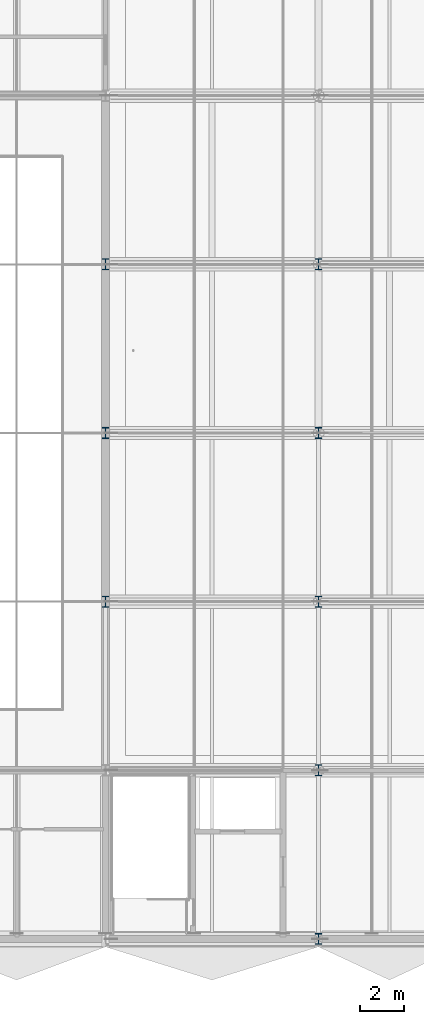
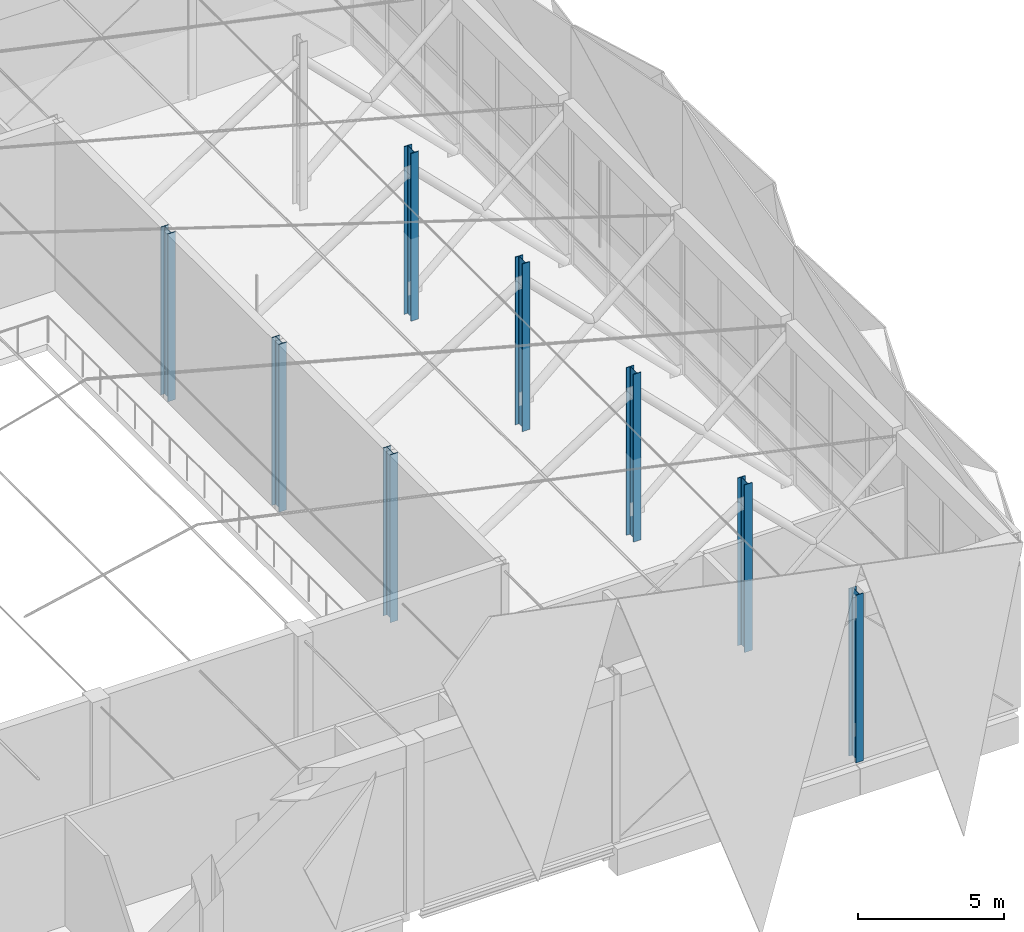
# One storey, part 2 of 46: 8 columns.
"""IFC4 building model written with IfcOpenShell, lengths in metres."""

from ifc_helpers import new_model, si_unit, direction, frame, origin, origin_2d, place, context, subcontext, project, spatial, i_section, extrude, material, material_profile, profile_set, type_object, element, save


model = new_model("IFC4")

# Units and contexts
model_context = context("Model", 3, precision=1e-05, world=origin(), true_north=direction((0.0, 1.0)))
body_context = subcontext(model_context, "Body", "Model", "MODEL_VIEW")
ifc_project = project(units=[si_unit("LENGTHUNIT", "METRE"), si_unit("AREAUNIT", "SQUARE_METRE"), si_unit("VOLUMEUNIT", "CUBIC_METRE"), si_unit("PLANEANGLEUNIT", "RADIAN"), si_unit("MASSUNIT", "GRAM", prefix="KILO")], contexts=[model_context])

# Site, building, storey
site_placement = place(None, origin())
site = spatial("IfcSite", under=ifc_project, at=site_placement, CompositionType="ELEMENT")
building_placement = place(site_placement, origin())
building = spatial("IfcBuilding", under=site, at=building_placement, Name="Khelvaren Railside Concert Hall", CompositionType="ELEMENT")
storey_placement = place(building_placement, frame((0.0, 0.0, 19.800048828125)))
storey = spatial("IfcBuildingStorey", under=building, at=storey_placement, Name="L04", CompositionType="ELEMENT", Elevation=19.800048828125)

# Columns
ifc_material = material(Name="Steel S355", Category="steel")
ifc_material_profile_1 = material_profile(ifc_material, i_section(OverallWidth=0.300048828125, OverallDepth=0.5, WebThickness=0.014404296875, FlangeThickness=0.028076171875, FilletRadius=0.027099609375, at=origin_2d()), Name="HEB 500")
ifc_profile_set_1 = profile_set([ifc_material_profile_1], Name="Steel S355")
column_type_1 = type_object("IfcColumnType", Name="COL15", PredefinedType="COLUMN", material=ifc_profile_set_1)
column_placement = place(storey_placement, frame((49.60009765625, 0.0, 0.0), z_axis=(0.0, 0.0, 1.0), x_axis=(1.0, 0.0, 0.0)))
element("IfcColumn", 1, at=column_placement, inside=storey, type_object=column_type_1, Name="V1 L04 Column (49.6,0.0)", PredefinedType="COLUMN", context=body_context, shape_type="SweptSolid", body=[
    extrude(i_section(OverallWidth=0.300048828125, OverallDepth=0.5, WebThickness=0.014404296875, FlangeThickness=0.028076171875, FilletRadius=0.027099609375, at=origin_2d()), origin(), (0.0, 0.0, 1.0), 7.0),
])
ifc_material_profile_2 = material_profile(ifc_material, i_section(OverallWidth=0.300048828125, OverallDepth=0.5, WebThickness=0.014404296875, FlangeThickness=0.028076171875, FilletRadius=0.027099609375, at=origin_2d()), Name="HEB 500")
ifc_profile_set_2 = profile_set([ifc_material_profile_2], Name="Steel S355")
column_type_2 = type_object("IfcColumnType", Name="COL25", PredefinedType="COLUMN", material=ifc_profile_set_2)
for number, where, z_axis, x_axis, name in (
    (2, (40.0, 15.199951171875, 0.0), (0.0, 0.0, 1.0), (1.0, 0.0, 0.0), "V1 L04 Column (40.0,15.2)"),
    (3, (40.0, 22.800048828125, 0.0), (0.0, 0.0, 1.0), (1.0, 0.0, 0.0), "V1 L04 Column (40.0,22.8)"),
    (4, (40.0, 30.39990234375, 0.0), (0.0, 0.0, 1.0), (1.0, 0.0, 0.0), "V1 L04 Column (40.0,30.4)"),
    (5, (49.60009765625, 7.60009765625, 0.0), (0.0, 0.0, 1.0), (1.0, 0.0, 0.0), "V1 L04 Column (49.6,7.6)"),
    (6, (49.60009765625, 15.199951171875, 0.0), (0.0, 0.0, 1.0), (1.0, 0.0, 0.0), "V1 L04 Column (49.6,15.2)"),
    (7, (49.60009765625, 22.800048828125, 0.0), (0.0, 0.0, 1.0), (1.0, 0.0, 0.0), "V1 L04 Column (49.6,22.8)"),
    (8, (49.60009765625, 30.39990234375, 0.0), (0.0, 0.0, 1.0), (1.0, 0.0, 0.0), "V1 L04 Column (49.6,30.4)"),
):
    element("IfcColumn", number, at=place(storey_placement, frame(where, z_axis=z_axis, x_axis=x_axis)), inside=storey, type_object=column_type_2, Name=name, PredefinedType="COLUMN", context=body_context, shape_type="SweptSolid", body=[
        extrude(i_section(OverallWidth=0.300048828125, OverallDepth=0.5, WebThickness=0.014404296875, FlangeThickness=0.028076171875, FilletRadius=0.027099609375, at=origin_2d()), origin(), (0.0, 0.0, 1.0), 7.0),
    ])

save(model, "model.ifc")
